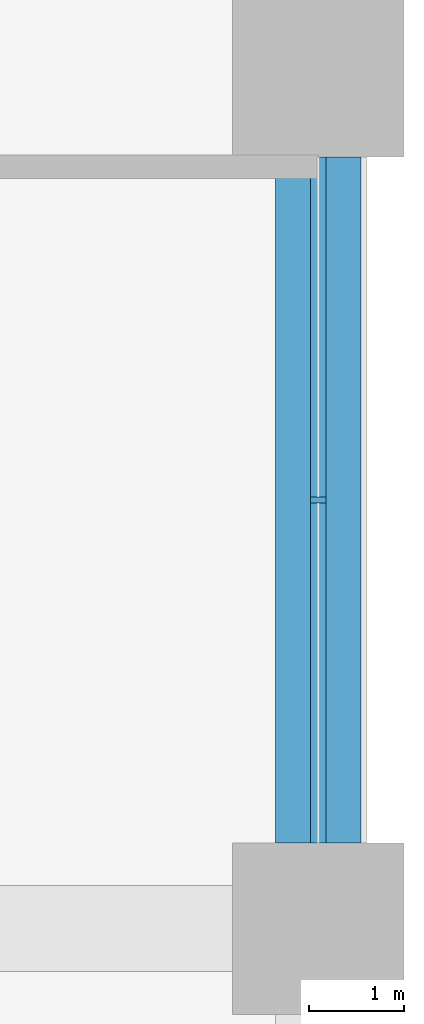
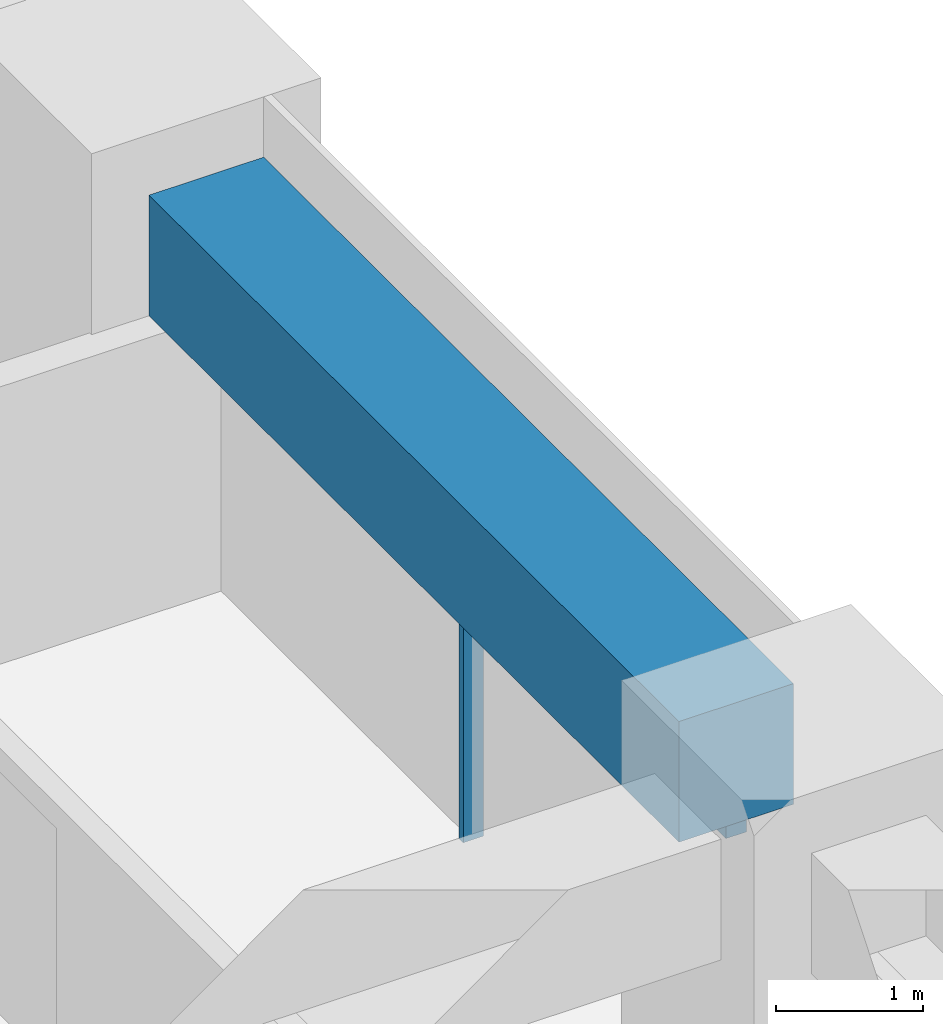
# One storey, part 6 of 20: 2 members, 1 beam, 1 element without a shape of its own.
"""IFC4 building model written with IfcOpenShell, lengths in metres."""

from ifc_helpers import new_model, si_unit, direction, frame, origin, origin_2d, place, context, subcontext, project, spatial, rectangle, extrude, material, material_profile, profile_set, type_object, element, aggregate, save


model = new_model("IFC4")

# Units and contexts
model_context = context("Model", 3, precision=1e-05, world=origin(), true_north=direction((0.0, 1.0)))
body_context = subcontext(model_context, "Body", "Model", "MODEL_VIEW")
ifc_project = project(units=[si_unit("LENGTHUNIT", "METRE"), si_unit("AREAUNIT", "SQUARE_METRE"), si_unit("VOLUMEUNIT", "CUBIC_METRE"), si_unit("PLANEANGLEUNIT", "RADIAN"), si_unit("MASSUNIT", "GRAM", prefix="KILO")], contexts=[model_context])

# Site, building, storey
site_placement = place(None, origin())
site = spatial("IfcSite", under=ifc_project, at=site_placement, CompositionType="ELEMENT")
building_placement = place(site_placement, origin())
building = spatial("IfcBuilding", under=site, at=building_placement, Name="Tessera Arch", CompositionType="ELEMENT")
storey_placement = place(building_placement, frame((0.0, 0.0, 119.60009765625)))
storey = spatial("IfcBuildingStorey", under=building, at=storey_placement, Name="L28", CompositionType="ELEMENT", Elevation=119.60009765625)

# Curtain wall, members
ifc_material_1 = material(Name="CW1 curtain wall")
curtain_wall_type = type_object("IfcCurtainWallType", Name="CW1 curtain wall", PredefinedType="NOTDEFINED", material=ifc_material_1)
curtain_wall_placement = place(storey_placement, origin())
curtain_wall = element("IfcCurtainWall", 1, at=curtain_wall_placement, inside=storey, type_object=curtain_wall_type, Name="CW1 curtain wall E54.0/3 L28", PredefinedType="NOTDEFINED")
ifc_material_2 = material(Name="Anodised aluminium pale metal", Category="aluminium")
ifc_material_profile_1 = material_profile(ifc_material_2, rectangle(XDim=0.159912109375, YDim=0.06005859375, at=origin_2d()), Name="AL 60x160")
ifc_profile_set_1 = profile_set([ifc_material_profile_1], Name="Anodised aluminium pale metal")
member_type_1 = type_object("IfcMemberType", Name="CW1 mullion", PredefinedType="MULLION", material=ifc_profile_set_1)
member_1_placement = place(storey_placement, frame((54.0, 31.5, 0.0), z_axis=(0.0, 0.0, 1.0), x_axis=(-1.0, 0.0, 0.0)))
member_1 = element("IfcMember", 2, at=member_1_placement, type_object=member_type_1, Name="CW1 mullion E54.0/3 1", PredefinedType="MULLION", context=body_context, shape_type="SweptSolid", body=[
    extrude(rectangle(XDim=0.159912109375, YDim=0.06005859375, at=origin_2d()), origin(), (0.0, 0.0, 1.0), 2.199951171875),
])
ifc_material_3 = material(Name="Anodised aluminium pale metal", Category="aluminium")
ifc_material_profile_2 = material_profile(ifc_material_3, rectangle(XDim=0.159912109375, YDim=0.10009765625, at=origin_2d()), Name="AL 160x100")
ifc_profile_set_2 = profile_set([ifc_material_profile_2], Name="Anodised aluminium pale metal")
member_type_2 = type_object("IfcMemberType", Name="CW1 transom", PredefinedType="USERDEFINED", material=ifc_profile_set_2)
member_2_placement = place(storey_placement, frame((54.0, 27.89990234375, 2.25), z_axis=(0.0, 1.0, 0.0), x_axis=(-1.0, 0.0, 0.0)))
member_2 = element("IfcMember", 3, at=member_2_placement, type_object=member_type_2, Name="CW1 transom E54.0/3 1.1", ObjectType="TRANSOM", PredefinedType="USERDEFINED", context=body_context, shape_type="SweptSolid", body=[
    extrude(rectangle(XDim=0.159912109375, YDim=0.10009765625, at=origin_2d()), origin(), (0.0, 0.0, 1.0), 7.2001953125),
])
aggregate(curtain_wall, [member_1, member_2])

# Beam
ifc_material_4 = material(Name="Concrete C80/95", Category="concrete")
ifc_material_profile_3 = material_profile(ifc_material_4, rectangle(XDim=0.89990234375, YDim=1.0, at=origin_2d()), Name="RC spandrel beam 900 x 1000 Concrete C80/95")
ifc_profile_set_3 = profile_set([ifc_material_profile_3], Name="Concrete C80/95")
beam_type = type_object("IfcBeamType", Name="RC spandrel beam 900 x 1000 Concrete C80/95", PredefinedType="BEAM", material=ifc_profile_set_3)
beam_placement = place(storey_placement, frame((54.0, 27.89990234375, 2.7998046875), z_axis=(0.0, 1.0, 0.0), x_axis=(-1.0, 0.0, 0.0)))
element("IfcBeam", 4, at=beam_placement, inside=storey, type_object=beam_type, Name="Spandrel beam L28 E54.0/3", PredefinedType="BEAM", context=body_context, shape_type="SweptSolid", body=[
    extrude(rectangle(XDim=0.89990234375, YDim=1.0, at=origin_2d()), origin(), (0.0, 0.0, 1.0), 7.2001953125),
])

save(model, "model.ifc")
